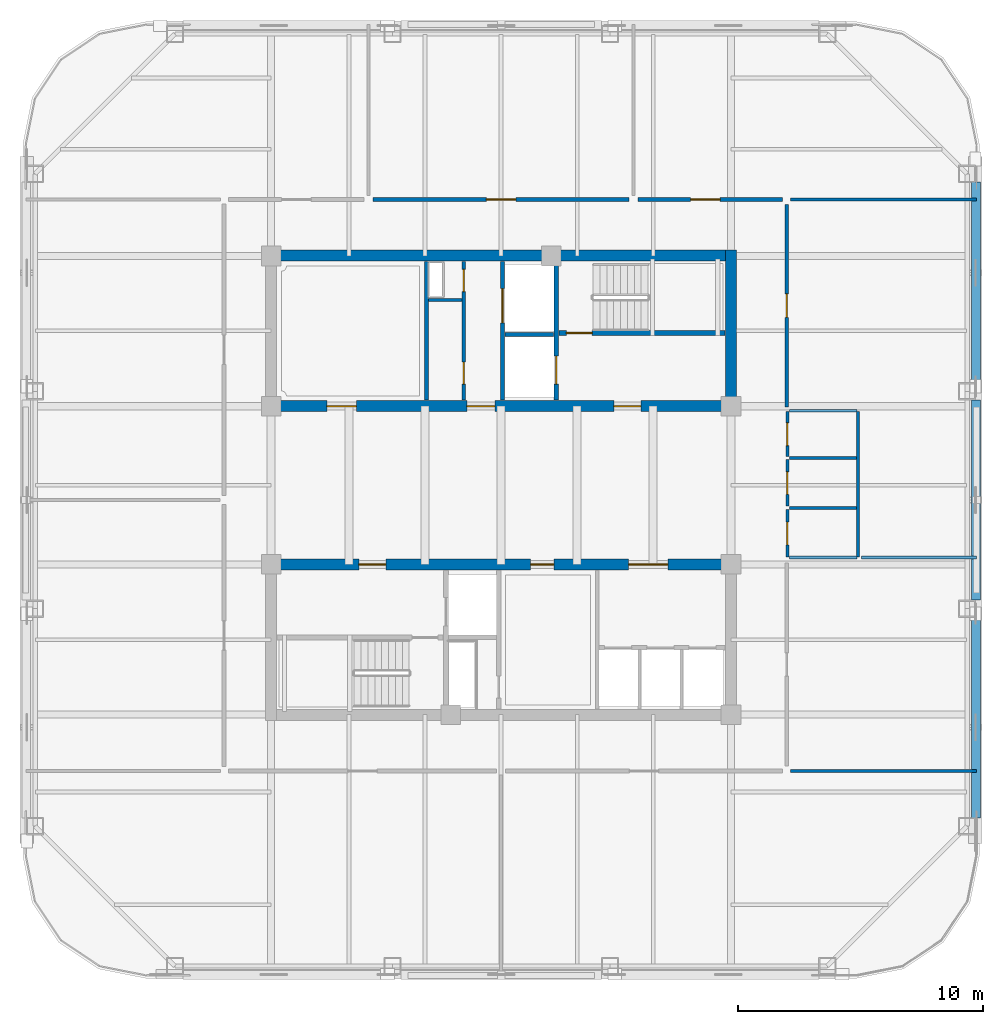
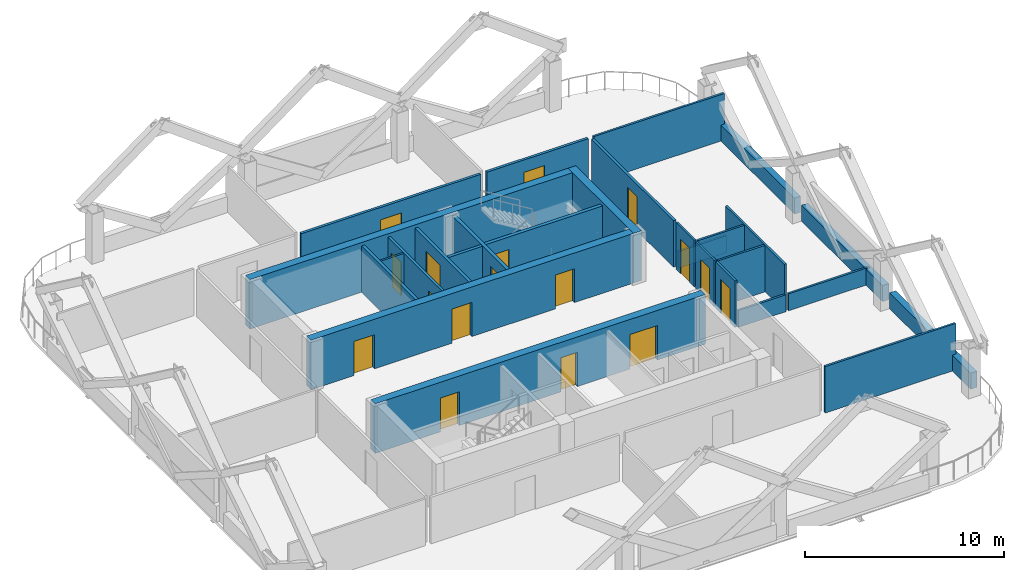
# One storey, part 4 of 8: 28 walls, 17 doors, 17 openings.
"""IFC4 building model written with IfcOpenShell, lengths in metres."""

from ifc_helpers import new_model, si_unit, direction, frame, frame_2d, origin, place, context, subcontext, project, spatial, rectangle, extrude, material, layer, layer_set, type_object, element, fill, save


model = new_model("IFC4")

# Units and contexts
model_context = context("Model", 3, precision=1e-05, world=origin(), true_north=direction((0.0, 1.0)))
body_context = subcontext(model_context, "Body", "Model", "MODEL_VIEW")
ifc_project = project(units=[si_unit("LENGTHUNIT", "METRE"), si_unit("AREAUNIT", "SQUARE_METRE"), si_unit("VOLUMEUNIT", "CUBIC_METRE"), si_unit("PLANEANGLEUNIT", "RADIAN"), si_unit("MASSUNIT", "GRAM", prefix="KILO")], contexts=[model_context])

# Site, building, storey
site_placement = place(None, origin())
site = spatial("IfcSite", under=ifc_project, at=site_placement, CompositionType="ELEMENT")
building_placement = place(site_placement, origin())
building = spatial("IfcBuilding", under=site, at=building_placement, Name="Qhalaya Broadcast Tower", CompositionType="ELEMENT")
storey_placement = place(building_placement, frame((0.0, 0.0, 223.89990234375)))
storey = spatial("IfcBuildingStorey", under=building, at=storey_placement, Name="L66", CompositionType="ELEMENT", Elevation=223.89990234375)

# Wall, openings, doors
ifc_material_1 = material(Name="Gypsum Acoustic Partition")
ifc_layer_1 = layer(ifc_material_1, 0.14990234375, Name="Gypsum Acoustic Partition")
ifc_layer_set_1 = layer_set([ifc_layer_1], Name="Gypsum Acoustic Partition")
wall_type_1 = type_object("IfcWallType", Name="Corridor & Tenancy Acoustic Partition 150", PredefinedType="PARTITIONING", material=ifc_layer_set_1)
wall_1_placement = place(storey_placement, frame((-1.52001953125, 4.070068359375, 0.0), z_axis=(0.0, 0.0, 1.0), x_axis=(0.0, 1.0, 0.0)))
wall_1 = element("IfcWall", 1, at=wall_1_placement, inside=storey, type_object=wall_type_1, Name="L66 Partition Wall NCW-SVL", PredefinedType="PARTITIONING", context=body_context, shape_type="SweptSolid", body=[
    extrude(rectangle(XDim=5.659912109375, YDim=0.14990234375, at=frame_2d((2.830078125, 0.0))), origin(), (0.0, 0.0, 1.0), 2.860107421875),
])
opening_1_placement = place(wall_1_placement, frame((4.429931640625, 0.0, 0.0)))
opening_1 = element("IfcOpeningElement", 2, at=opening_1_placement, cuts=wall_1, Name="Opening D06", PredefinedType="OPENING", context=body_context, shape_type="SweptSolid", body=[
    extrude(rectangle(XDim=0.89990234375, YDim=2.050048828125, at=frame_2d((0.449951171875, 1.02490234375))), frame((0.0, 0.0869140625, 0.0), z_axis=(0.0, -1.0, 0.0), x_axis=(1.0, 0.0, 0.0)), (0.0, 0.0, 1.0), 0.173828125),
])
opening_2_placement = place(wall_1_placement, frame((0.64990234375, 0.0, 0.0)))
opening_2 = element("IfcOpeningElement", 3, at=opening_2_placement, cuts=wall_1, Name="Opening D06", PredefinedType="OPENING", context=body_context, shape_type="SweptSolid", body=[
    extrude(rectangle(XDim=0.89990234375, YDim=2.050048828125, at=frame_2d((0.449951171875, 1.02490234375))), frame((0.0, 0.0869140625, 0.0), z_axis=(0.0, -1.0, 0.0), x_axis=(1.0, 0.0, 0.0)), (0.0, 0.0, 1.0), 0.173828125),
])
ifc_material_2 = material(Name="Fire-Rated Steel Door", Category="steel")
door_type_1 = type_object("IfcDoorType", Name="Riser & Electrical Shaft Access Door D06", OperationType="NOTDEFINED", PredefinedType="DOOR", material=ifc_material_2)
door_1_placement = place(opening_1_placement, origin())
door_1 = element("IfcDoor", 4, at=door_1_placement, inside=storey, type_object=door_type_1, Name="L66 Riser Shaft Access Door D-NRSR", OperationType="SINGLE_SWING_RIGHT", OverallHeight=2.050048828125, OverallWidth=0.89990234375, PredefinedType="DOOR", context=body_context, shape_type="SweptSolid", body=[
    extrude(rectangle(XDim=0.89990234375, YDim=2.050048828125, at=frame_2d((0.449951171875, 1.02490234375))), frame((0.0, 0.02490234375, 0.0), z_axis=(0.0, -1.0, 0.0), x_axis=(1.0, 0.0, 0.0)), (0.0, 0.0, 1.0), 0.050048828125),
])
fill(opening_1, door_1)
door_2_placement = place(opening_2_placement, origin())
door_2 = element("IfcDoor", 5, at=door_2_placement, inside=storey, type_object=door_type_1, Name="L66 Door D-NCST", OperationType="SINGLE_SWING_LEFT", OverallHeight=2.050048828125, OverallWidth=0.89990234375, PredefinedType="DOOR", context=body_context, shape_type="SweptSolid", body=[
    extrude(rectangle(XDim=0.89990234375, YDim=2.050048828125, at=frame_2d((0.449951171875, 1.02490234375))), frame((0.0, 0.02490234375, 0.0), z_axis=(0.0, -1.0, 0.0), x_axis=(1.0, 0.0, 0.0)), (0.0, 0.0, 1.0), 0.050048828125),
])
fill(opening_2, door_2)

# Wall, opening, door
wall_2_placement = place(storey_placement, frame((-5.219970703125, 12.25, 0.0), z_axis=(0.0, 0.0, 1.0), x_axis=(1.0, 0.0, 0.0)))
wall_2 = element("IfcWall", 6, at=wall_2_placement, inside=storey, type_object=wall_type_1, Name="L66 Partition Wall W-COR-02", PredefinedType="PARTITIONING", context=body_context, shape_type="SweptSolid", body=[
    extrude(rectangle(XDim=10.43994140625, YDim=0.14990234375, at=frame_2d((5.219970703125, 0.0))), origin(), (0.0, 0.0, 1.0), 2.860107421875),
])
opening_3_placement = place(wall_2_placement, frame((4.6201171875, 0.0, 0.0)))
opening_3 = element("IfcOpeningElement", 7, at=opening_3_placement, cuts=wall_2, Name="Opening D11", PredefinedType="OPENING", context=body_context, shape_type="SweptSolid", body=[
    extrude(rectangle(XDim=1.199951171875, YDim=2.10009765625, at=frame_2d((0.60009765625, 1.050048828125))), frame((0.0, 0.0869140625, 0.0), z_axis=(0.0, -1.0, 0.0), x_axis=(1.0, 0.0, 0.0)), (0.0, 0.0, 1.0), 0.173828125),
])
ifc_material_3 = material(Name="Anodised Aluminium Glazed Door", Category="aluminium")
door_type_2 = type_object("IfcDoorType", Name="Conference, Boardroom & Studio Control Door D11", OperationType="NOTDEFINED", PredefinedType="DOOR", material=ifc_material_3)
door_3_placement = place(opening_3_placement, origin())
door_3 = element("IfcDoor", 8, at=door_3_placement, inside=storey, type_object=door_type_2, Name="L66 Door D-RM02", OperationType="SINGLE_SWING_LEFT", OverallHeight=2.10009765625, OverallWidth=1.199951171875, PredefinedType="DOOR", context=body_context, shape_type="SweptSolid", body=[
    extrude(rectangle(XDim=1.199951171875, YDim=2.10009765625, at=frame_2d((0.60009765625, 1.050048828125))), frame((0.0, 0.02490234375, 0.0), z_axis=(0.0, -1.0, 0.0), x_axis=(1.0, 0.0, 0.0)), (0.0, 0.0, 1.0), 0.050048828125),
])
fill(opening_3, door_3)

wall_3_placement = place(storey_placement, frame((5.580078125, 12.25, 0.0), z_axis=(0.0, 0.0, 1.0), x_axis=(1.0, 0.0, 0.0)))
wall_3 = element("IfcWall", 9, at=wall_3_placement, inside=storey, type_object=wall_type_1, Name="L66 Partition Wall W-COR-03", PredefinedType="PARTITIONING", context=body_context, shape_type="SweptSolid", body=[
    extrude(rectangle(XDim=5.889892578125, YDim=0.14990234375, at=frame_2d((2.94482421875, 0.0))), origin(), (0.0, 0.0, 1.0), 2.860107421875),
])
opening_4_placement = place(wall_3_placement, frame((2.14501953125, 0.0, 0.0)))
opening_4 = element("IfcOpeningElement", 10, at=opening_4_placement, cuts=wall_3, Name="Opening D11", PredefinedType="OPENING", context=body_context, shape_type="SweptSolid", body=[
    extrude(rectangle(XDim=1.199951171875, YDim=2.10009765625, at=frame_2d((0.60009765625, 1.050048828125))), frame((0.0, 0.0869140625, 0.0), z_axis=(0.0, -1.0, 0.0), x_axis=(1.0, 0.0, 0.0)), (0.0, 0.0, 1.0), 0.173828125),
])
door_4_placement = place(opening_4_placement, origin())
door_4 = element("IfcDoor", 11, at=door_4_placement, inside=storey, type_object=door_type_2, Name="L66 Door D-RM03", OperationType="SINGLE_SWING_RIGHT", OverallHeight=2.10009765625, OverallWidth=1.199951171875, PredefinedType="DOOR", context=body_context, shape_type="SweptSolid", body=[
    extrude(rectangle(XDim=1.199951171875, YDim=2.10009765625, at=frame_2d((0.60009765625, 1.050048828125))), frame((0.0, 0.02490234375, 0.0), z_axis=(0.0, -1.0, 0.0), x_axis=(1.0, 0.0, 0.0)), (0.0, 0.0, 1.0), 0.050048828125),
])
fill(opening_4, door_4)

wall_4_placement = place(storey_placement, frame((11.64990234375, 3.800048828125, 0.0), z_axis=(0.0, 0.0, 1.0), x_axis=(0.0, 1.0, 0.0)))
wall_4 = element("IfcWall", 12, at=wall_4_placement, inside=storey, type_object=wall_type_1, Name="L66 Partition Wall W-COR-09", PredefinedType="PARTITIONING", context=body_context, shape_type="SweptSolid", body=[
    extrude(rectangle(XDim=8.25, YDim=0.14990234375, at=frame_2d((4.125, 0.0))), origin(), (0.0, 0.0, 1.0), 2.860107421875),
])
opening_5_placement = place(wall_4_placement, frame((3.64990234375, 0.0, 0.0)))
opening_5 = element("IfcOpeningElement", 13, at=opening_5_placement, cuts=wall_4, Name="Opening D10", PredefinedType="OPENING", context=body_context, shape_type="SweptSolid", body=[
    extrude(rectangle(XDim=0.949951171875, YDim=2.10009765625, at=frame_2d((0.47509765625, 1.050048828125))), frame((0.0, 0.0869140625, 0.0), z_axis=(0.0, -1.0, 0.0), x_axis=(1.0, 0.0, 0.0)), (0.0, 0.0, 1.0), 0.173828125),
])
ifc_material_4 = material(Name="Timber Veneer Acoustic Door", Category="wood")
door_type_3 = type_object("IfcDoorType", Name="Cellular Office & Edit Booth Door D10", OperationType="NOTDEFINED", PredefinedType="DOOR", material=ifc_material_4)
door_5_placement = place(opening_5_placement, origin())
door_5 = element("IfcDoor", 14, at=door_5_placement, inside=storey, type_object=door_type_3, Name="L66 Door D-RM09", OperationType="SINGLE_SWING_RIGHT", OverallHeight=2.10009765625, OverallWidth=0.949951171875, PredefinedType="DOOR", context=body_context, shape_type="SweptSolid", body=[
    extrude(rectangle(XDim=0.949951171875, YDim=2.10009765625, at=frame_2d((0.47509765625, 1.050048828125))), frame((0.0, 0.02490234375, 0.0), z_axis=(0.0, -1.0, 0.0), x_axis=(1.0, 0.0, 0.0)), (0.0, 0.0, 1.0), 0.050048828125),
])
fill(opening_5, door_5)

# Walls
ifc_material_5 = material(Name="Precast Concrete C40/50", Category="concrete")
ifc_layer_2 = layer(ifc_material_5, 0.360107421875, Name="Precast Concrete C40/50")
ifc_layer_set_2 = layer_set([ifc_layer_2], Name="Precast Concrete C40/50")
wall_type_2 = type_object("IfcWallType", Name="Insulated Precast Terracotta Exterior Wall 360", PredefinedType="SOLIDWALL", material=ifc_layer_set_2)
wall_5_placement = place(storey_placement, frame((19.360107421875, 12.9619140625, 0.0), z_axis=(0.0, 0.0, 1.0), x_axis=(0.0, -1.0, 0.0)))
element("IfcWall", 15, at=wall_5_placement, inside=storey, type_object=wall_type_2, Name="L66 Exoskeleton Diagrid Infill Wall E1", PredefinedType="SOLIDWALL", context=body_context, shape_type="SweptSolid", body=[
    extrude(rectangle(XDim=8.1787109375, YDim=0.360107421875, at=frame_2d((4.08935546875, 0.0))), origin(), (0.0, 0.0, 1.0), 0.97998046875),
])
wall_6_placement = place(storey_placement, frame((19.360107421875, 4.083251953125, 0.0), z_axis=(0.0, 0.0, 1.0), x_axis=(0.0, -1.0, 0.0)))
element("IfcWall", 16, at=wall_6_placement, inside=storey, type_object=wall_type_2, Name="L66 Exoskeleton Diagrid Infill Wall E2", PredefinedType="SOLIDWALL", context=body_context, shape_type="SweptSolid", body=[
    extrude(rectangle(XDim=8.16650390625, YDim=0.360107421875, at=frame_2d((4.083251953125, 0.0))), origin(), (0.0, 0.0, 1.0), 0.97998046875),
])
wall_7_placement = place(storey_placement, frame((19.360107421875, -4.783203125, 0.0), z_axis=(0.0, 0.0, 1.0), x_axis=(0.0, -1.0, 0.0)))
element("IfcWall", 17, at=wall_7_placement, inside=storey, type_object=wall_type_2, Name="L66 Exoskeleton Diagrid Infill Wall E3", PredefinedType="SOLIDWALL", context=body_context, shape_type="SweptSolid", body=[
    extrude(rectangle(XDim=8.1787109375, YDim=0.360107421875, at=frame_2d((4.08935546875, 0.0))), origin(), (0.0, 0.0, 1.0), 0.97998046875),
])

# Wall, opening, door
ifc_material_6 = material(Name="Concrete C50/60", Category="concrete")
ifc_layer_3 = layer(ifc_material_6, 0.199951171875, Name="Concrete C50/60")
ifc_layer_set_3 = layer_set([ifc_layer_3], Name="Concrete C50/60")
wall_type_3 = type_object("IfcWallType", Name="Load-Bearing Stair Shaft Wall 200", PredefinedType="SHEAR", material=ifc_layer_set_3)
wall_8_placement = place(storey_placement, frame((2.360107421875, 6.804931640625, 0.0), z_axis=(0.0, 0.0, 1.0), x_axis=(1.0, 0.0, 0.0)))
wall_8 = element("IfcWall", 18, at=wall_8_placement, inside=storey, type_object=wall_type_3, Name="L66 Stair Core Shear Wall NCW-ST1", PredefinedType="SHEAR", context=body_context, shape_type="SweptSolid", body=[
    extrude(rectangle(XDim=6.769775390625, YDim=0.199951171875, at=frame_2d((3.384765625, 0.0))), origin(), (0.0, 0.0, 1.0), 2.860107421875),
])
opening_6_placement = place(wall_8_placement, frame((0.300048828125, 0.0, 0.0)))
opening_6 = element("IfcOpeningElement", 19, at=opening_6_placement, cuts=wall_8, Name="Opening D03", PredefinedType="OPENING", context=body_context, shape_type="SweptSolid", body=[
    extrude(rectangle(XDim=1.050048828125, YDim=2.080078125, at=frame_2d((0.52490234375, 1.0400390625))), frame((0.0, 0.112060546875, 0.0), z_axis=(0.0, -1.0, 0.0), x_axis=(1.0, 0.0, 0.0)), (0.0, 0.0, 1.0), 0.223876953125),
])
door_type_4 = type_object("IfcDoorType", Name="Core Stair Protected Fire Door D03", OperationType="NOTDEFINED", PredefinedType="DOOR", material=ifc_material_2)
door_6_placement = place(opening_6_placement, origin())
door_6 = element("IfcDoor", 20, at=door_6_placement, inside=storey, type_object=door_type_4, Name="L66 Door D-NST1", OperationType="SINGLE_SWING_LEFT", OverallHeight=2.080078125, OverallWidth=1.050048828125, PredefinedType="DOOR", context=body_context, shape_type="SweptSolid", body=[
    extrude(rectangle(XDim=1.050048828125, YDim=2.080078125, at=frame_2d((0.52490234375, 1.0400390625))), frame((0.0, 0.02490234375, 0.0), z_axis=(0.0, -1.0, 0.0), x_axis=(1.0, 0.0, 0.0)), (0.0, 0.0, 1.0), 0.050048828125),
])
fill(opening_6, door_6)

wall_9_placement = place(storey_placement, frame((2.25, 4.070068359375, 0.0), z_axis=(0.0, 0.0, 1.0), x_axis=(0.0, 1.0, 0.0)))
wall_9 = element("IfcWall", 21, at=wall_9_placement, inside=storey, type_object=wall_type_3, Name="L66 Stair Core Shear Wall NCW-FF", PredefinedType="SHEAR", context=body_context, shape_type="SweptSolid", body=[
    extrude(rectangle(XDim=5.659912109375, YDim=0.199951171875, at=frame_2d((2.830078125, 0.0))), origin(), (0.0, 0.0, 1.0), 2.860107421875),
])
opening_7_placement = place(wall_9_placement, frame((0.64990234375, 0.0, 0.0)))
opening_7 = element("IfcOpeningElement", 22, at=opening_7_placement, cuts=wall_9, Name="Opening LD2", PredefinedType="OPENING", context=body_context, shape_type="SweptSolid", body=[
    extrude(rectangle(XDim=1.14990234375, YDim=2.080078125, at=frame_2d((0.574951171875, 1.0400390625))), frame((0.0, 0.112060546875, 0.0), z_axis=(0.0, -1.0, 0.0), x_axis=(1.0, 0.0, 0.0)), (0.0, 0.0, 1.0), 0.223876953125),
])
ifc_material_7 = material(Name="Brushed Stainless Steel Lift Door", Category="steel")
door_type_5 = type_object("IfcDoorType", Name="Firefighting Lift Sliding Landing Door LD2", OperationType="DOUBLE_DOOR_SLIDING", PredefinedType="DOOR", material=ifc_material_7)
door_7_placement = place(opening_7_placement, origin())
door_7 = element("IfcDoor", 23, at=door_7_placement, inside=storey, type_object=door_type_5, Name="L66 Door LD-FF1", OperationType="DOUBLE_DOOR_SLIDING", OverallHeight=2.080078125, OverallWidth=1.14990234375, PredefinedType="DOOR", context=body_context, shape_type="SweptSolid", body=[
    extrude(rectangle(XDim=1.14990234375, YDim=2.080078125, at=frame_2d((0.574951171875, 1.0400390625))), frame((0.0, 0.02490234375, 0.0), z_axis=(0.0, -1.0, 0.0), x_axis=(1.0, 0.0, 0.0)), (0.0, 0.0, 1.0), 0.050048828125),
])
fill(opening_7, door_7)

# Wall
ifc_layer_4 = layer(ifc_material_1, 0.1201171875, Name="Gypsum Acoustic Partition")
ifc_layer_set_4 = layer_set([ifc_layer_4], Name="Gypsum Acoustic Partition")
wall_type_4 = type_object("IfcWallType", Name="Office, Booth & Sanitary Partition 120", PredefinedType="PARTITIONING", material=ifc_layer_set_4)
wall_10_placement = place(storey_placement, frame((-2.9599609375, 8.14990234375, 0.0), z_axis=(0.0, 0.0, 1.0), x_axis=(1.0, 0.0, 0.0)))
element("IfcWall", 24, at=wall_10_placement, inside=storey, type_object=wall_type_4, Name="L66 Partition Wall NCW-VA", PredefinedType="PARTITIONING", context=body_context, shape_type="SweptSolid", body=[
    extrude(rectangle(XDim=1.35986328125, YDim=0.1201171875, at=frame_2d((0.679931640625, 0.0))), origin(), (0.0, 0.0, 1.0), 2.860107421875),
])

# Wall, opening, door
wall_11_placement = place(storey_placement, frame((11.669921875, -2.320068359375, 0.0), z_axis=(0.0, 0.0, 1.0), x_axis=(0.0, 1.0, 0.0)))
wall_11 = element("IfcWall", 25, at=wall_11_placement, inside=storey, type_object=wall_type_4, Name="L66 Partition Wall W-WCWA", PredefinedType="PARTITIONING", context=body_context, shape_type="SweptSolid", body=[
    extrude(rectangle(XDim=1.940185546875, YDim=0.1201171875, at=frame_2d((0.97021484375, 0.0))), origin(), (0.0, 0.0, 1.0), 2.860107421875),
])
opening_8_placement = place(wall_11_placement, frame((0.4951171875, 0.0, 0.0)))
opening_8 = element("IfcOpeningElement", 26, at=opening_8_placement, cuts=wall_11, Name="Opening D12", PredefinedType="OPENING", context=body_context, shape_type="SweptSolid", body=[
    extrude(rectangle(XDim=0.919921875, YDim=2.10009765625, at=frame_2d((0.4599609375, 1.050048828125))), frame((0.0, 0.072021484375, 0.0), z_axis=(0.0, -1.0, 0.0), x_axis=(1.0, 0.0, 0.0)), (0.0, 0.0, 1.0), 0.14404296875),
])
door_type_6 = type_object("IfcDoorType", Name="Accessible WC & Restroom Door D12", OperationType="NOTDEFINED", PredefinedType="DOOR", material=ifc_material_4)
door_8_placement = place(opening_8_placement, origin())
door_8 = element("IfcDoor", 27, at=door_8_placement, inside=storey, type_object=door_type_6, Name="L66 Door D-WCA", OperationType="SINGLE_SWING_LEFT", OverallHeight=2.10009765625, OverallWidth=0.919921875, PredefinedType="DOOR", context=body_context, shape_type="SweptSolid", body=[
    extrude(rectangle(XDim=0.919921875, YDim=2.10009765625, at=frame_2d((0.4599609375, 1.050048828125))), frame((0.0, 0.02490234375, 0.0), z_axis=(0.0, -1.0, 0.0), x_axis=(1.0, 0.0, 0.0)), (0.0, 0.0, 1.0), 0.050048828125),
])
fill(opening_8, door_8)

wall_12_placement = place(storey_placement, frame((11.669921875, -0.25, 0.0), z_axis=(0.0, 0.0, 1.0), x_axis=(0.0, 1.0, 0.0)))
wall_12 = element("IfcWall", 28, at=wall_12_placement, inside=storey, type_object=wall_type_4, Name="L66 Partition Wall W-WCWM", PredefinedType="PARTITIONING", context=body_context, shape_type="SweptSolid", body=[
    extrude(rectangle(XDim=1.89990234375, YDim=0.1201171875, at=frame_2d((0.949951171875, 0.0))), origin(), (0.0, 0.0, 1.0), 2.860107421875),
])
opening_9_placement = place(wall_12_placement, frame((0.47509765625, 0.0, 0.0)))
opening_9 = element("IfcOpeningElement", 29, at=opening_9_placement, cuts=wall_12, Name="Opening D12", PredefinedType="OPENING", context=body_context, shape_type="SweptSolid", body=[
    extrude(rectangle(XDim=0.919921875, YDim=2.10009765625, at=frame_2d((0.4599609375, 1.050048828125))), frame((0.0, 0.072021484375, 0.0), z_axis=(0.0, -1.0, 0.0), x_axis=(1.0, 0.0, 0.0)), (0.0, 0.0, 1.0), 0.14404296875),
])
door_9_placement = place(opening_9_placement, origin())
door_9 = element("IfcDoor", 30, at=door_9_placement, inside=storey, type_object=door_type_6, Name="L66 Door D-WCM", OperationType="SINGLE_SWING_RIGHT", OverallHeight=2.10009765625, OverallWidth=0.919921875, PredefinedType="DOOR", context=body_context, shape_type="SweptSolid", body=[
    extrude(rectangle(XDim=0.919921875, YDim=2.10009765625, at=frame_2d((0.4599609375, 1.050048828125))), frame((0.0, 0.02490234375, 0.0), z_axis=(0.0, -1.0, 0.0), x_axis=(1.0, 0.0, 0.0)), (0.0, 0.0, 1.0), 0.050048828125),
])
fill(opening_9, door_9)

wall_13_placement = place(storey_placement, frame((11.669921875, 1.780029296875, 0.0), z_axis=(0.0, 0.0, 1.0), x_axis=(0.0, 1.0, 0.0)))
wall_13 = element("IfcWall", 31, at=wall_13_placement, inside=storey, type_object=wall_type_4, Name="L66 Partition Wall W-WCWF", PredefinedType="PARTITIONING", context=body_context, shape_type="SweptSolid", body=[
    extrude(rectangle(XDim=1.830078125, YDim=0.1201171875, at=frame_2d((0.9150390625, 0.0))), origin(), (0.0, 0.0, 1.0), 2.860107421875),
])
opening_10_placement = place(wall_13_placement, frame((0.43994140625, 0.0, 0.0)))
opening_10 = element("IfcOpeningElement", 32, at=opening_10_placement, cuts=wall_13, Name="Opening D12", PredefinedType="OPENING", context=body_context, shape_type="SweptSolid", body=[
    extrude(rectangle(XDim=0.919921875, YDim=2.10009765625, at=frame_2d((0.4599609375, 1.050048828125))), frame((0.0, 0.072021484375, 0.0), z_axis=(0.0, -1.0, 0.0), x_axis=(1.0, 0.0, 0.0)), (0.0, 0.0, 1.0), 0.14404296875),
])
door_10_placement = place(opening_10_placement, origin())
door_10 = element("IfcDoor", 33, at=door_10_placement, inside=storey, type_object=door_type_6, Name="L66 Door D-WCF", OperationType="SINGLE_SWING_LEFT", OverallHeight=2.10009765625, OverallWidth=0.919921875, PredefinedType="DOOR", context=body_context, shape_type="SweptSolid", body=[
    extrude(rectangle(XDim=0.919921875, YDim=2.10009765625, at=frame_2d((0.4599609375, 1.050048828125))), frame((0.0, 0.02490234375, 0.0), z_axis=(0.0, -1.0, 0.0), x_axis=(1.0, 0.0, 0.0)), (0.0, 0.0, 1.0), 0.050048828125),
])
fill(opening_10, door_10)

# Walls
wall_14_placement = place(storey_placement, frame((14.550048828125, -2.320068359375, 0.0), z_axis=(0.0, 0.0, 1.0), x_axis=(0.0, 1.0, 0.0)))
element("IfcWall", 34, at=wall_14_placement, inside=storey, type_object=wall_type_4, Name="L66 Partition Wall W-WCE", PredefinedType="PARTITIONING", context=body_context, shape_type="SweptSolid", body=[
    extrude(rectangle(XDim=5.93017578125, YDim=0.1201171875, at=frame_2d((2.965087890625, 0.0))), origin(), (0.0, 0.0, 1.0), 2.860107421875),
])
for number, where, z_axis, x_axis, name in (
    (35, (11.760009765625, -2.35009765625, 0.0), (0.0, 0.0, 1.0), (1.0, 0.0, 0.0), "L66 Partition Wall W-WCS"),
    (36, (11.760009765625, 3.639892578125, 0.0), (0.0, 0.0, 1.0), (1.0, 0.0, 0.0), "L66 Partition Wall W-WCN"),
):
    element("IfcWall", number, at=place(storey_placement, frame(where, z_axis=z_axis, x_axis=x_axis)), inside=storey, type_object=wall_type_4, Name=name, PredefinedType="PARTITIONING", context=body_context, shape_type="SweptSolid", body=[
        extrude(rectangle(XDim=2.760009765625, YDim=0.1201171875, at=frame_2d((1.3798828125, 0.0))), origin(), (0.0, 0.0, 1.0), 1.0400390625),
    ])
for number, where, z_axis, x_axis, name in (
    (37, (11.760009765625, -0.320068359375, 0.0), (0.0, 0.0, 1.0), (1.0, 0.0, 0.0), "L66 Partition Wall W-WCD1"),
    (38, (11.760009765625, 1.719970703125, 0.0), (0.0, 0.0, 1.0), (1.0, 0.0, 0.0), "L66 Partition Wall W-WCD2"),
):
    element("IfcWall", number, at=place(storey_placement, frame(where, z_axis=z_axis, x_axis=x_axis)), inside=storey, type_object=wall_type_4, Name=name, PredefinedType="PARTITIONING", context=body_context, shape_type="SweptSolid", body=[
        extrude(rectangle(XDim=2.719970703125, YDim=0.1201171875, at=frame_2d((1.35986328125, 0.0))), origin(), (0.0, 0.0, 1.0), 2.860107421875),
    ])
for number, where, z_axis, x_axis, name in (
    (39, (11.7900390625, 12.25, 0.0), (0.0, 0.0, 1.0), (1.0, 0.0, 0.0), "L66 Partition Wall W-BNDE1"),
    (40, (11.7900390625, -11.050048828125, 0.0), (0.0, 0.0, 1.0), (1.0, 0.0, 0.0), "L66 Partition Wall W-BNDE2"),
):
    element("IfcWall", number, at=place(storey_placement, frame(where, z_axis=z_axis, x_axis=x_axis)), inside=storey, type_object=wall_type_4, Name=name, PredefinedType="PARTITIONING", context=body_context, shape_type="SweptSolid", body=[
        extrude(rectangle(XDim=7.58984375, YDim=0.1201171875, at=frame_2d((3.794921875, 0.0))), origin(), (0.0, 0.0, 1.0), 2.860107421875),
    ])
wall_15_placement = place(storey_placement, frame((14.68994140625, -2.35009765625, 0.0), z_axis=(0.0, 0.0, 1.0), x_axis=(1.0, 0.0, 0.0)))
element("IfcWall", 41, at=wall_15_placement, inside=storey, type_object=wall_type_4, Name="L66 Partition Wall W-DIVE-WC", PredefinedType="PARTITIONING", context=body_context, shape_type="SweptSolid", body=[
    extrude(rectangle(XDim=4.68994140625, YDim=0.1201171875, at=frame_2d((2.344970703125, 0.0))), origin(), (0.0, 0.0, 1.0), 1.0400390625),
])

# Wall, opening, door
ifc_layer_5 = layer(ifc_material_1, 0.175048828125, Name="Gypsum Acoustic Partition")
ifc_layer_set_5 = layer_set([ifc_layer_5], Name="Gypsum Acoustic Partition")
wall_type_5 = type_object("IfcWallType", Name="Shaft & Riser Fire Partition 175", PredefinedType="PARTITIONING", material=ifc_layer_set_5)
wall_16_placement = place(storey_placement, frame((0.06005859375, 4.070068359375, 0.0), z_axis=(0.0, 0.0, 1.0), x_axis=(0.0, 1.0, 0.0)))
wall_16 = element("IfcWall", 42, at=wall_16_placement, inside=storey, type_object=wall_type_5, Name="L66 Partition Wall NCW-SVW", PredefinedType="PARTITIONING", context=body_context, shape_type="SweptSolid", body=[
    extrude(rectangle(XDim=5.659912109375, YDim=0.175048828125, at=frame_2d((2.830078125, 0.0))), origin(), (0.0, 0.0, 1.0), 2.860107421875),
])
opening_11_placement = place(wall_16_placement, frame((3.14990234375, 0.0, 0.0)))
opening_11 = element("IfcOpeningElement", 43, at=opening_11_placement, cuts=wall_16, Name="Opening LD3", PredefinedType="OPENING", context=body_context, shape_type="SweptSolid", body=[
    extrude(rectangle(XDim=1.39990234375, YDim=2.1201171875, at=frame_2d((0.699951171875, 1.06005859375))), frame((0.0, 0.099609375, 0.0), z_axis=(0.0, -1.0, 0.0), x_axis=(1.0, 0.0, 0.0)), (0.0, 0.0, 1.0), 0.198974609375),
])
door_type_7 = type_object("IfcDoorType", Name="Service Lift Wide Sliding Landing Door LD3", OperationType="DOUBLE_DOOR_SLIDING", PredefinedType="DOOR", material=ifc_material_7)
door_11_placement = place(opening_11_placement, origin())
door_11 = element("IfcDoor", 44, at=door_11_placement, inside=storey, type_object=door_type_7, Name="L66 Door LD-SV1", OperationType="DOUBLE_DOOR_SLIDING", OverallHeight=2.1201171875, OverallWidth=1.39990234375, PredefinedType="DOOR", context=body_context, shape_type="SweptSolid", body=[
    extrude(rectangle(XDim=1.39990234375, YDim=2.1201171875, at=frame_2d((0.699951171875, 1.06005859375))), frame((0.0, 0.02490234375, 0.0), z_axis=(0.0, -1.0, 0.0), x_axis=(1.0, 0.0, 0.0)), (0.0, 0.0, 1.0), 0.050048828125),
])
fill(opening_11, door_11)

# Walls
wall_17_placement = place(storey_placement, frame((0.159912109375, 6.75, 0.0), z_axis=(0.0, 0.0, 1.0), x_axis=(1.0, 0.0, 0.0)))
element("IfcWall", 45, at=wall_17_placement, inside=storey, type_object=wall_type_5, Name="L66 Partition Wall NCW-SVM", PredefinedType="PARTITIONING", context=body_context, shape_type="SweptSolid", body=[
    extrude(rectangle(XDim=1.97998046875, YDim=0.175048828125, at=frame_2d((0.989990234375, 0.0))), origin(), (0.0, 0.0, 1.0), 2.860107421875),
])
wall_18_placement = place(storey_placement, frame((-3.0400390625, 4.070068359375, 0.0), z_axis=(0.0, 0.0, 1.0), x_axis=(0.0, 1.0, 0.0)))
element("IfcWall", 46, at=wall_18_placement, inside=storey, type_object=wall_type_5, Name="L66 Partition Wall NCW-VRW", PredefinedType="PARTITIONING", context=body_context, shape_type="SweptSolid", body=[
    extrude(rectangle(XDim=5.659912109375, YDim=0.175048828125, at=frame_2d((2.830078125, 0.0))), origin(), (0.0, 0.0, 1.0), 2.860107421875),
])
ifc_layer_6 = layer(ifc_material_6, 0.449951171875, Name="Concrete C50/60")
ifc_layer_set_6 = layer_set([ifc_layer_6], Name="Concrete C50/60")
wall_type_6 = type_object("IfcWallType", Name="Upper Split-Core Shear Wall 450", PredefinedType="SHEAR", material=ifc_layer_set_6)
wall_19_placement = place(storey_placement, frame((-9.60009765625, 9.97509765625, 0.0), z_axis=(0.0, 0.0, 1.0), x_axis=(1.0, 0.0, 0.0)))
element("IfcWall", 47, at=wall_19_placement, inside=storey, type_object=wall_type_6, Name="L66 Split-Core Shear Wall CW-NN", PredefinedType="SHEAR", context=body_context, shape_type="SweptSolid", body=[
    extrude(rectangle(XDim=19.2001953125, YDim=0.449951171875, at=frame_2d((9.60009765625, 0.0))), origin(), (0.0, 0.0, 1.0), 3.050048828125),
])

# Wall, openings, doors
wall_20_placement = place(storey_placement, frame((-9.60009765625, 3.824951171875, 0.0), z_axis=(0.0, 0.0, 1.0), x_axis=(1.0, 0.0, 0.0)))
wall_20 = element("IfcWall", 48, at=wall_20_placement, inside=storey, type_object=wall_type_6, Name="L66 Split-Core Shear Wall CW-NS", PredefinedType="SHEAR", context=body_context, shape_type="SweptSolid", body=[
    extrude(rectangle(XDim=19.2001953125, YDim=0.449951171875, at=frame_2d((9.60009765625, 0.0))), origin(), (0.0, 0.0, 1.0), 3.050048828125),
])
opening_12_placement = place(wall_20_placement, frame((14.199951171875, 0.0, 0.0)))
opening_12 = element("IfcOpeningElement", 49, at=opening_12_placement, cuts=wall_20, Name="Opening D04", PredefinedType="OPENING", context=body_context, shape_type="SweptSolid", body=[
    extrude(rectangle(XDim=1.10009765625, YDim=2.080078125, at=frame_2d((0.550048828125, 1.0400390625))), frame((0.0, 0.237060546875, 0.0), z_axis=(0.0, -1.0, 0.0), x_axis=(1.0, 0.0, 0.0)), (0.0, 0.0, 1.0), 0.473876953125),
])
opening_13_placement = place(wall_20_placement, frame((8.199951171875, 0.0, 0.0)))
opening_13 = element("IfcOpeningElement", 50, at=opening_13_placement, cuts=wall_20, Name="Opening D05", PredefinedType="OPENING", context=body_context, shape_type="SweptSolid", body=[
    extrude(rectangle(XDim=1.14990234375, YDim=2.10009765625, at=frame_2d((0.574951171875, 1.050048828125))), frame((0.0, 0.237060546875, 0.0), z_axis=(0.0, -1.0, 0.0), x_axis=(1.0, 0.0, 0.0)), (0.0, 0.0, 1.0), 0.473876953125),
])
opening_14_placement = place(wall_20_placement, frame((2.5, 0.0, 0.0)))
opening_14 = element("IfcOpeningElement", 51, at=opening_14_placement, cuts=wall_20, Name="Opening D11", PredefinedType="OPENING", context=body_context, shape_type="SweptSolid", body=[
    extrude(rectangle(XDim=1.199951171875, YDim=2.10009765625, at=frame_2d((0.60009765625, 1.050048828125))), frame((0.0, 0.237060546875, 0.0), z_axis=(0.0, -1.0, 0.0), x_axis=(1.0, 0.0, 0.0)), (0.0, 0.0, 1.0), 0.473876953125),
])
door_12_placement = place(opening_14_placement, origin())
door_12 = element("IfcDoor", 52, at=door_12_placement, inside=storey, type_object=door_type_2, Name="L66 Door D-NREC1", OperationType="SINGLE_SWING_LEFT", OverallHeight=2.10009765625, OverallWidth=1.199951171875, PredefinedType="DOOR", context=body_context, shape_type="SweptSolid", body=[
    extrude(rectangle(XDim=1.199951171875, YDim=2.10009765625, at=frame_2d((0.60009765625, 1.050048828125))), frame((0.0, 0.02490234375, 0.0), z_axis=(0.0, -1.0, 0.0), x_axis=(1.0, 0.0, 0.0)), (0.0, 0.0, 1.0), 0.050048828125),
])
fill(opening_14, door_12)
door_type_8 = type_object("IfcDoorType", Name="Firefighting Lobby Rated Door D04", OperationType="NOTDEFINED", PredefinedType="DOOR", material=ifc_material_2)
door_13_placement = place(opening_12_placement, origin())
door_13 = element("IfcDoor", 53, at=door_13_placement, inside=storey, type_object=door_type_8, Name="L66 Door D-NFF", OperationType="SINGLE_SWING_RIGHT", OverallHeight=2.080078125, OverallWidth=1.10009765625, PredefinedType="DOOR", context=body_context, shape_type="SweptSolid", body=[
    extrude(rectangle(XDim=1.10009765625, YDim=2.080078125, at=frame_2d((0.550048828125, 1.0400390625))), frame((0.0, 0.02490234375, 0.0), z_axis=(0.0, -1.0, 0.0), x_axis=(1.0, 0.0, 0.0)), (0.0, 0.0, 1.0), 0.050048828125),
])
fill(opening_12, door_13)
door_type_9 = type_object("IfcDoorType", Name="Refuge & Plant Room Fire Door D05", OperationType="NOTDEFINED", PredefinedType="DOOR", material=ifc_material_2)
door_14_placement = place(opening_13_placement, origin())
door_14 = element("IfcDoor", 54, at=door_14_placement, inside=storey, type_object=door_type_9, Name="L66 Door D-NSVL", OperationType="SINGLE_SWING_LEFT", OverallHeight=2.10009765625, OverallWidth=1.14990234375, PredefinedType="DOOR", context=body_context, shape_type="SweptSolid", body=[
    extrude(rectangle(XDim=1.14990234375, YDim=2.10009765625, at=frame_2d((0.574951171875, 1.050048828125))), frame((0.0, 0.02490234375, 0.0), z_axis=(0.0, -1.0, 0.0), x_axis=(1.0, 0.0, 0.0)), (0.0, 0.0, 1.0), 0.050048828125),
])
fill(opening_13, door_14)

# Wall
wall_21_placement = place(storey_placement, frame((9.375, 3.60009765625, 0.0), z_axis=(0.0, 0.0, 1.0), x_axis=(0.0, 1.0, 0.0)))
element("IfcWall", 55, at=wall_21_placement, inside=storey, type_object=wall_type_6, Name="L66 Split-Core Shear Wall CW-NE", PredefinedType="SHEAR", context=body_context, shape_type="SweptSolid", body=[
    extrude(rectangle(XDim=6.599853515625, YDim=0.449951171875, at=frame_2d((3.2998046875, 0.0))), origin(), (0.0, 0.0, 1.0), 3.050048828125),
])

# Wall, openings, doors
wall_22_placement = place(storey_placement, frame((-9.60009765625, -2.625, 0.0), z_axis=(0.0, 0.0, 1.0), x_axis=(1.0, 0.0, 0.0)))
wall_22 = element("IfcWall", 56, at=wall_22_placement, inside=storey, type_object=wall_type_6, Name="L66 Split-Core Shear Wall CW-SN", PredefinedType="SHEAR", context=body_context, shape_type="SweptSolid", body=[
    extrude(rectangle(XDim=19.2001953125, YDim=0.449951171875, at=frame_2d((9.60009765625, 0.0))), origin(), (0.0, 0.0, 1.0), 3.050048828125),
])
opening_15_placement = place(wall_22_placement, frame((3.800048828125, 0.0, 0.0)))
opening_15 = element("IfcOpeningElement", 57, at=opening_15_placement, cuts=wall_22, Name="Opening D04", PredefinedType="OPENING", context=body_context, shape_type="SweptSolid", body=[
    extrude(rectangle(XDim=1.10009765625, YDim=2.080078125, at=frame_2d((0.550048828125, 1.0400390625))), frame((0.0, 0.237060546875, 0.0), z_axis=(0.0, -1.0, 0.0), x_axis=(1.0, 0.0, 0.0)), (0.0, 0.0, 1.0), 0.473876953125),
])
opening_16_placement = place(wall_22_placement, frame((10.800048828125, 0.0, 0.0)))
opening_16 = element("IfcOpeningElement", 58, at=opening_16_placement, cuts=wall_22, Name="Opening D10", PredefinedType="OPENING", context=body_context, shape_type="SweptSolid", body=[
    extrude(rectangle(XDim=0.949951171875, YDim=2.10009765625, at=frame_2d((0.47509765625, 1.050048828125))), frame((0.0, 0.237060546875, 0.0), z_axis=(0.0, -1.0, 0.0), x_axis=(1.0, 0.0, 0.0)), (0.0, 0.0, 1.0), 0.473876953125),
])
opening_17_placement = place(wall_22_placement, frame((14.800048828125, 0.0, 0.0)))
opening_17 = element("IfcOpeningElement", 59, at=opening_17_placement, cuts=wall_22, Name="Opening D07", PredefinedType="OPENING", context=body_context, shape_type="SweptSolid", body=[
    extrude(rectangle(XDim=1.60009765625, YDim=2.1201171875, at=frame_2d((0.800048828125, 1.06005859375))), frame((0.0, 0.237060546875, 0.0), z_axis=(0.0, -1.0, 0.0), x_axis=(1.0, 0.0, 0.0)), (0.0, 0.0, 1.0), 0.473876953125),
])
door_15_placement = place(opening_16_placement, origin())
door_15 = element("IfcDoor", 60, at=door_15_placement, inside=storey, type_object=door_type_3, Name="L66 Door D-SREC", OperationType="SINGLE_SWING_LEFT", OverallHeight=2.10009765625, OverallWidth=0.949951171875, PredefinedType="DOOR", context=body_context, shape_type="SweptSolid", body=[
    extrude(rectangle(XDim=0.949951171875, YDim=2.10009765625, at=frame_2d((0.47509765625, 1.050048828125))), frame((0.0, 0.02490234375, 0.0), z_axis=(0.0, -1.0, 0.0), x_axis=(1.0, 0.0, 0.0)), (0.0, 0.0, 1.0), 0.050048828125),
])
fill(opening_16, door_15)
door_16_placement = place(opening_15_placement, origin())
door_16 = element("IfcDoor", 61, at=door_16_placement, inside=storey, type_object=door_type_8, Name="L66 Door D-SFF", OperationType="SINGLE_SWING_LEFT", OverallHeight=2.080078125, OverallWidth=1.10009765625, PredefinedType="DOOR", context=body_context, shape_type="SweptSolid", body=[
    extrude(rectangle(XDim=1.10009765625, YDim=2.080078125, at=frame_2d((0.550048828125, 1.0400390625))), frame((0.0, 0.02490234375, 0.0), z_axis=(0.0, -1.0, 0.0), x_axis=(1.0, 0.0, 0.0)), (0.0, 0.0, 1.0), 0.050048828125),
])
fill(opening_15, door_16)
door_type_10 = type_object("IfcDoorType", Name="Passenger Lift Lobby Double Glazed Door D07", OperationType="DOUBLE_DOOR_SINGLE_SWING", PredefinedType="DOOR", material=ifc_material_3)
door_17_placement = place(opening_17_placement, origin())
door_17 = element("IfcDoor", 62, at=door_17_placement, inside=storey, type_object=door_type_10, Name="L66 Door D-SPLL", OperationType="DOUBLE_DOOR_SINGLE_SWING", OverallHeight=2.1201171875, OverallWidth=1.60009765625, PredefinedType="DOOR", context=body_context, shape_type="SweptSolid", body=[
    extrude(rectangle(XDim=1.60009765625, YDim=2.1201171875, at=frame_2d((0.800048828125, 1.06005859375))), frame((0.0, 0.02490234375, 0.0), z_axis=(0.0, -1.0, 0.0), x_axis=(1.0, 0.0, 0.0)), (0.0, 0.0, 1.0), 0.050048828125),
])
fill(opening_17, door_17)

save(model, "model.ifc")
